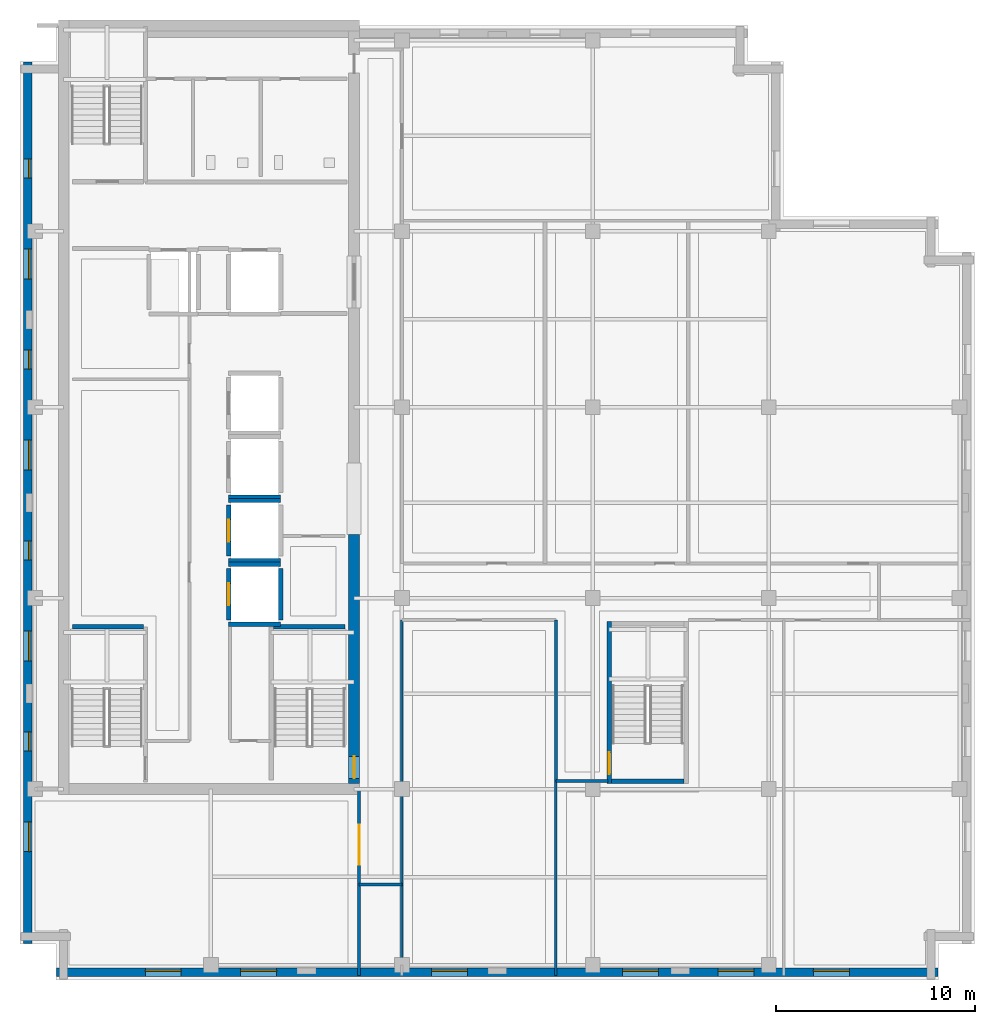
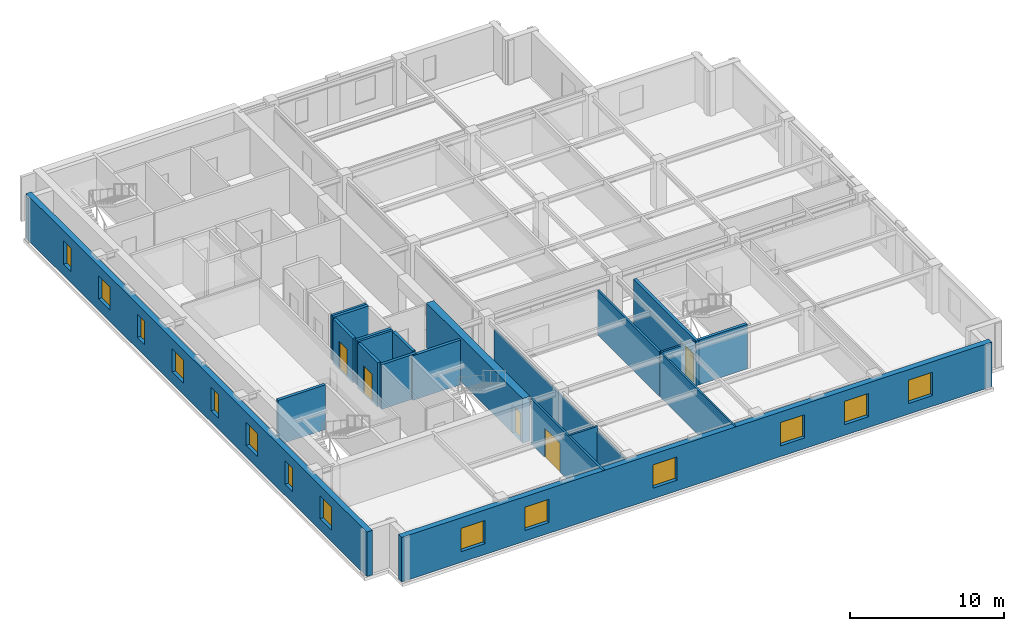
# One storey, part 3 of 10: 21 walls, 14 windows, 5 doors, 19 openings.
"""IFC4 building model written with IfcOpenShell, lengths in metres."""

from ifc_helpers import new_model, si_unit, direction, frame, frame_2d, origin, place, context, subcontext, project, spatial, rectangle, extrude, material, layer, layer_set, type_object, element, fill, save


model = new_model("IFC4")

# Units and contexts
model_context = context("Model", 3, precision=1e-05, world=origin(), true_north=direction((0.0, 1.0)))
body_context = subcontext(model_context, "Body", "Model", "MODEL_VIEW")
ifc_project = project(units=[si_unit("LENGTHUNIT", "METRE"), si_unit("AREAUNIT", "SQUARE_METRE"), si_unit("VOLUMEUNIT", "CUBIC_METRE"), si_unit("PLANEANGLEUNIT", "RADIAN"), si_unit("MASSUNIT", "GRAM", prefix="KILO")], contexts=[model_context])

# Site, building, storey
site_placement = place(None, origin())
site = spatial("IfcSite", under=ifc_project, at=site_placement, CompositionType="ELEMENT")
building_placement = place(site_placement, origin())
building = spatial("IfcBuilding", under=site, at=building_placement, Name="Norrvale University Quadrangle", CompositionType="ELEMENT")
storey_placement = place(building_placement, frame((0.0, 0.0, 269.60009765625)))
storey = spatial("IfcBuildingStorey", under=building, at=storey_placement, Name="L68", CompositionType="ELEMENT", Elevation=269.60009765625)

# Wall, openings, windows
ifc_material_1 = material(Name="Buff Norman Clay Brick Masonry", Category="masonry")
ifc_layer_1 = layer(ifc_material_1, 0.419921875, Name="Buff Norman Clay Brick Masonry")
ifc_layer_set_1 = layer_set([ifc_layer_1], Name="Buff Norman Clay Brick Masonry")
wall_type_1 = type_object("IfcWallType", Name="Wall Buff Brick 420", PredefinedType="SOLIDWALL", material=ifc_layer_set_1)
wall_1_placement = place(storey_placement, frame((1.840087890625, 0.389892578125, 0.0), z_axis=(0.0, 0.0, 1.0), x_axis=(1.0, 0.0, 0.0)))
wall_1 = element("IfcWall", 1, at=wall_1_placement, inside=storey, type_object=wall_type_1, Name="Exterior Brick Facade Wall L68-01.1", PredefinedType="SOLIDWALL", context=body_context, shape_type="SweptSolid", body=[
    extrude(rectangle(XDim=44.31982421875, YDim=0.419921875, at=frame_2d((22.159912109375, 0.0))), origin(), (0.0, 0.0, 1.0), 3.539794921875),
])
opening_1_placement = place(wall_1_placement, frame((4.4599609375, 0.0, 0.85009765625)))
opening_1 = element("IfcOpeningElement", 2, at=opening_1_placement, cuts=wall_1, Name="Opening W01", PredefinedType="OPENING", context=body_context, shape_type="SweptSolid", body=[
    extrude(rectangle(XDim=1.800048828125, YDim=1.85009765625, at=frame_2d((0.89990234375, 0.925048828125))), frame((0.0, 0.221923828125, 0.0), z_axis=(0.0, -1.0, 0.0), x_axis=(1.0, 0.0, 0.0)), (0.0, 0.0, 1.0), 0.44384765625),
])
opening_2_placement = place(wall_1_placement, frame((9.260009765625, 0.0, 0.85009765625)))
opening_2 = element("IfcOpeningElement", 3, at=opening_2_placement, cuts=wall_1, Name="Opening W01", PredefinedType="OPENING", context=body_context, shape_type="SweptSolid", body=[
    extrude(rectangle(XDim=1.800048828125, YDim=1.85009765625, at=frame_2d((0.89990234375, 0.925048828125))), frame((0.0, 0.221923828125, 0.0), z_axis=(0.0, -1.0, 0.0), x_axis=(1.0, 0.0, 0.0)), (0.0, 0.0, 1.0), 0.44384765625),
])
opening_3_placement = place(wall_1_placement, frame((18.860107421875, 0.0, 0.85009765625)))
opening_3 = element("IfcOpeningElement", 4, at=opening_3_placement, cuts=wall_1, Name="Opening W01", PredefinedType="OPENING", context=body_context, shape_type="SweptSolid", body=[
    extrude(rectangle(XDim=1.800048828125, YDim=1.85009765625, at=frame_2d((0.89990234375, 0.925048828125))), frame((0.0, 0.221923828125, 0.0), z_axis=(0.0, -1.0, 0.0), x_axis=(1.0, 0.0, 0.0)), (0.0, 0.0, 1.0), 0.44384765625),
])
opening_4_placement = place(wall_1_placement, frame((28.4599609375, 0.0, 0.85009765625)))
opening_4 = element("IfcOpeningElement", 5, at=opening_4_placement, cuts=wall_1, Name="Opening W01", PredefinedType="OPENING", context=body_context, shape_type="SweptSolid", body=[
    extrude(rectangle(XDim=1.800048828125, YDim=1.85009765625, at=frame_2d((0.89990234375, 0.925048828125))), frame((0.0, 0.221923828125, 0.0), z_axis=(0.0, -1.0, 0.0), x_axis=(1.0, 0.0, 0.0)), (0.0, 0.0, 1.0), 0.44384765625),
])
opening_5_placement = place(wall_1_placement, frame((33.260009765625, 0.0, 0.85009765625)))
opening_5 = element("IfcOpeningElement", 6, at=opening_5_placement, cuts=wall_1, Name="Opening W01", PredefinedType="OPENING", context=body_context, shape_type="SweptSolid", body=[
    extrude(rectangle(XDim=1.800048828125, YDim=1.85009765625, at=frame_2d((0.89990234375, 0.925048828125))), frame((0.0, 0.221923828125, 0.0), z_axis=(0.0, -1.0, 0.0), x_axis=(1.0, 0.0, 0.0)), (0.0, 0.0, 1.0), 0.44384765625),
])
opening_6_placement = place(wall_1_placement, frame((38.06005859375, 0.0, 0.85009765625)))
opening_6 = element("IfcOpeningElement", 7, at=opening_6_placement, cuts=wall_1, Name="Opening W01", PredefinedType="OPENING", context=body_context, shape_type="SweptSolid", body=[
    extrude(rectangle(XDim=1.800048828125, YDim=1.85009765625, at=frame_2d((0.89990234375, 0.925048828125))), frame((0.0, 0.221923828125, 0.0), z_axis=(0.0, -1.0, 0.0), x_axis=(1.0, 0.0, 0.0)), (0.0, 0.0, 1.0), 0.44384765625),
])
ifc_material_2 = material(Name="Triple Low-E Argon Glazing", Category="glass")
window_type_1 = type_object("IfcWindowType", Name="Window Academic 1800x2300", PartitioningType="DOUBLE_PANEL_VERTICAL", PredefinedType="WINDOW", material=ifc_material_2)
window_1_placement = place(opening_1_placement, origin())
window_1 = element("IfcWindow", 8, at=window_1_placement, inside=storey, type_object=window_type_1, Name="Window Academic 1800x2300 WIN-L68-E01-1-01", OverallHeight=1.85009765625, OverallWidth=1.800048828125, PartitioningType="DOUBLE_PANEL_VERTICAL", PredefinedType="WINDOW", context=body_context, shape_type="SweptSolid", body=[
    extrude(rectangle(XDim=1.800048828125, YDim=1.85009765625, at=frame_2d((0.89990234375, 0.925048828125))), frame((0.0, 0.110107421875, 0.0), z_axis=(0.0, -1.0, 0.0), x_axis=(1.0, 0.0, 0.0)), (0.0, 0.0, 1.0), 0.06005859375),
])
fill(opening_1, window_1)
window_2_placement = place(opening_2_placement, origin())
window_2 = element("IfcWindow", 9, at=window_2_placement, inside=storey, type_object=window_type_1, Name="Window Academic 1800x2300 WIN-L68-E01-1-02", OverallHeight=1.85009765625, OverallWidth=1.800048828125, PartitioningType="DOUBLE_PANEL_VERTICAL", PredefinedType="WINDOW", context=body_context, shape_type="SweptSolid", body=[
    extrude(rectangle(XDim=1.800048828125, YDim=1.85009765625, at=frame_2d((0.89990234375, 0.925048828125))), frame((0.0, 0.110107421875, 0.0), z_axis=(0.0, -1.0, 0.0), x_axis=(1.0, 0.0, 0.0)), (0.0, 0.0, 1.0), 0.06005859375),
])
fill(opening_2, window_2)
window_3_placement = place(opening_3_placement, origin())
window_3 = element("IfcWindow", 10, at=window_3_placement, inside=storey, type_object=window_type_1, Name="Window Academic 1800x2300 WIN-L68-E01-1-03", OverallHeight=1.85009765625, OverallWidth=1.800048828125, PartitioningType="DOUBLE_PANEL_VERTICAL", PredefinedType="WINDOW", context=body_context, shape_type="SweptSolid", body=[
    extrude(rectangle(XDim=1.800048828125, YDim=1.85009765625, at=frame_2d((0.89990234375, 0.925048828125))), frame((0.0, 0.110107421875, 0.0), z_axis=(0.0, -1.0, 0.0), x_axis=(1.0, 0.0, 0.0)), (0.0, 0.0, 1.0), 0.06005859375),
])
fill(opening_3, window_3)
window_4_placement = place(opening_4_placement, origin())
window_4 = element("IfcWindow", 11, at=window_4_placement, inside=storey, type_object=window_type_1, Name="Window Academic 1800x2300 WIN-L68-E01-1-04", OverallHeight=1.85009765625, OverallWidth=1.800048828125, PartitioningType="DOUBLE_PANEL_VERTICAL", PredefinedType="WINDOW", context=body_context, shape_type="SweptSolid", body=[
    extrude(rectangle(XDim=1.800048828125, YDim=1.85009765625, at=frame_2d((0.89990234375, 0.925048828125))), frame((0.0, 0.110107421875, 0.0), z_axis=(0.0, -1.0, 0.0), x_axis=(1.0, 0.0, 0.0)), (0.0, 0.0, 1.0), 0.06005859375),
])
fill(opening_4, window_4)
window_5_placement = place(opening_5_placement, origin())
window_5 = element("IfcWindow", 12, at=window_5_placement, inside=storey, type_object=window_type_1, Name="Window Academic 1800x2300 WIN-L68-E01-1-05", OverallHeight=1.85009765625, OverallWidth=1.800048828125, PartitioningType="DOUBLE_PANEL_VERTICAL", PredefinedType="WINDOW", context=body_context, shape_type="SweptSolid", body=[
    extrude(rectangle(XDim=1.800048828125, YDim=1.85009765625, at=frame_2d((0.89990234375, 0.925048828125))), frame((0.0, 0.110107421875, 0.0), z_axis=(0.0, -1.0, 0.0), x_axis=(1.0, 0.0, 0.0)), (0.0, 0.0, 1.0), 0.06005859375),
])
fill(opening_5, window_5)
window_6_placement = place(opening_6_placement, origin())
window_6 = element("IfcWindow", 13, at=window_6_placement, inside=storey, type_object=window_type_1, Name="Window Academic 1800x2300 WIN-L68-E01-1-06", OverallHeight=1.85009765625, OverallWidth=1.800048828125, PartitioningType="DOUBLE_PANEL_VERTICAL", PredefinedType="WINDOW", context=body_context, shape_type="SweptSolid", body=[
    extrude(rectangle(XDim=1.800048828125, YDim=1.85009765625, at=frame_2d((0.89990234375, 0.925048828125))), frame((0.0, 0.110107421875, 0.0), z_axis=(0.0, -1.0, 0.0), x_axis=(1.0, 0.0, 0.0)), (0.0, 0.0, 1.0), 0.06005859375),
])
fill(opening_6, window_6)

wall_2_placement = place(storey_placement, frame((0.389892578125, 46.159912109375, 0.0), z_axis=(0.0, 0.0, 1.0), x_axis=(0.0, -1.0, 0.0)))
wall_2 = element("IfcWall", 14, at=wall_2_placement, inside=storey, type_object=wall_type_1, Name="Exterior Brick Facade Wall L68-14.1", PredefinedType="SOLIDWALL", context=body_context, shape_type="SweptSolid", body=[
    extrude(rectangle(XDim=44.31982421875, YDim=0.419921875, at=frame_2d((22.159912109375, 0.0))), origin(), (0.0, 0.0, 1.0), 3.539794921875),
])
opening_7_placement = place(wall_2_placement, frame((4.885009765625, 0.0, 0.89990234375)))
opening_7 = element("IfcOpeningElement", 15, at=opening_7_placement, cuts=wall_2, Name="Opening W04", PredefinedType="OPENING", context=body_context, shape_type="SweptSolid", body=[
    extrude(rectangle(XDim=0.949951171875, YDim=1.85009765625, at=frame_2d((0.47509765625, 0.925048828125))), frame((0.0, 0.221923828125, 0.0), z_axis=(0.0, -1.0, 0.0), x_axis=(1.0, 0.0, 0.0)), (0.0, 0.0, 1.0), 0.44384765625),
])
opening_8_placement = place(wall_2_placement, frame((9.409912109375, 0.0, 0.89990234375)))
opening_8 = element("IfcOpeningElement", 16, at=opening_8_placement, cuts=wall_2, Name="Opening W03", PredefinedType="OPENING", context=body_context, shape_type="SweptSolid", body=[
    extrude(rectangle(XDim=1.5, YDim=1.85009765625, at=frame_2d((0.75, 0.925048828125))), frame((0.0, 0.221923828125, 0.0), z_axis=(0.0, -1.0, 0.0), x_axis=(1.0, 0.0, 0.0)), (0.0, 0.0, 1.0), 0.44384765625),
])
opening_9_placement = place(wall_2_placement, frame((14.485107421875, 0.0, 0.89990234375)))
opening_9 = element("IfcOpeningElement", 17, at=opening_9_placement, cuts=wall_2, Name="Opening W04", PredefinedType="OPENING", context=body_context, shape_type="SweptSolid", body=[
    extrude(rectangle(XDim=0.949951171875, YDim=1.85009765625, at=frame_2d((0.47509765625, 0.925048828125))), frame((0.0, 0.221923828125, 0.0), z_axis=(0.0, -1.0, 0.0), x_axis=(1.0, 0.0, 0.0)), (0.0, 0.0, 1.0), 0.44384765625),
])
opening_10_placement = place(wall_2_placement, frame((19.010009765625, 0.0, 0.89990234375)))
opening_10 = element("IfcOpeningElement", 18, at=opening_10_placement, cuts=wall_2, Name="Opening W03", PredefinedType="OPENING", context=body_context, shape_type="SweptSolid", body=[
    extrude(rectangle(XDim=1.5, YDim=1.85009765625, at=frame_2d((0.75, 0.925048828125))), frame((0.0, 0.221923828125, 0.0), z_axis=(0.0, -1.0, 0.0), x_axis=(1.0, 0.0, 0.0)), (0.0, 0.0, 1.0), 0.44384765625),
])
opening_11_placement = place(wall_2_placement, frame((24.0849609375, 0.0, 0.89990234375)))
opening_11 = element("IfcOpeningElement", 19, at=opening_11_placement, cuts=wall_2, Name="Opening W04", PredefinedType="OPENING", context=body_context, shape_type="SweptSolid", body=[
    extrude(rectangle(XDim=0.949951171875, YDim=1.85009765625, at=frame_2d((0.47509765625, 0.925048828125))), frame((0.0, 0.221923828125, 0.0), z_axis=(0.0, -1.0, 0.0), x_axis=(1.0, 0.0, 0.0)), (0.0, 0.0, 1.0), 0.44384765625),
])
opening_12_placement = place(wall_2_placement, frame((28.610107421875, 0.0, 0.89990234375)))
opening_12 = element("IfcOpeningElement", 20, at=opening_12_placement, cuts=wall_2, Name="Opening W03", PredefinedType="OPENING", context=body_context, shape_type="SweptSolid", body=[
    extrude(rectangle(XDim=1.5, YDim=1.85009765625, at=frame_2d((0.75, 0.925048828125))), frame((0.0, 0.221923828125, 0.0), z_axis=(0.0, -1.0, 0.0), x_axis=(1.0, 0.0, 0.0)), (0.0, 0.0, 1.0), 0.44384765625),
])
opening_13_placement = place(wall_2_placement, frame((33.68505859375, 0.0, 0.89990234375)))
opening_13 = element("IfcOpeningElement", 21, at=opening_13_placement, cuts=wall_2, Name="Opening W04", PredefinedType="OPENING", context=body_context, shape_type="SweptSolid", body=[
    extrude(rectangle(XDim=0.949951171875, YDim=1.85009765625, at=frame_2d((0.47509765625, 0.925048828125))), frame((0.0, 0.221923828125, 0.0), z_axis=(0.0, -1.0, 0.0), x_axis=(1.0, 0.0, 0.0)), (0.0, 0.0, 1.0), 0.44384765625),
])
opening_14_placement = place(wall_2_placement, frame((38.2099609375, 0.0, 0.89990234375)))
opening_14 = element("IfcOpeningElement", 22, at=opening_14_placement, cuts=wall_2, Name="Opening W03", PredefinedType="OPENING", context=body_context, shape_type="SweptSolid", body=[
    extrude(rectangle(XDim=1.5, YDim=1.85009765625, at=frame_2d((0.75, 0.925048828125))), frame((0.0, 0.221923828125, 0.0), z_axis=(0.0, -1.0, 0.0), x_axis=(1.0, 0.0, 0.0)), (0.0, 0.0, 1.0), 0.44384765625),
])
window_type_2 = type_object("IfcWindowType", Name="Window Narrow Pier 950x2300", PartitioningType="SINGLE_PANEL", PredefinedType="WINDOW", material=ifc_material_2)
window_7_placement = place(opening_7_placement, origin())
window_7 = element("IfcWindow", 23, at=window_7_placement, inside=storey, type_object=window_type_2, Name="Window Narrow Pier 950x2300 WIN-L68-E14-1-01", OverallHeight=1.85009765625, OverallWidth=0.949951171875, PartitioningType="SINGLE_PANEL", PredefinedType="WINDOW", context=body_context, shape_type="SweptSolid", body=[
    extrude(rectangle(XDim=0.949951171875, YDim=1.85009765625, at=frame_2d((0.47509765625, 0.925048828125))), frame((0.0, 0.110107421875, 0.0), z_axis=(0.0, -1.0, 0.0), x_axis=(1.0, 0.0, 0.0)), (0.0, 0.0, 1.0), 0.06005859375),
])
fill(opening_7, window_7)
window_8_placement = place(opening_9_placement, origin())
window_8 = element("IfcWindow", 24, at=window_8_placement, inside=storey, type_object=window_type_2, Name="Window Narrow Pier 950x2300 WIN-L68-E14-1-03", OverallHeight=1.85009765625, OverallWidth=0.949951171875, PartitioningType="SINGLE_PANEL", PredefinedType="WINDOW", context=body_context, shape_type="SweptSolid", body=[
    extrude(rectangle(XDim=0.949951171875, YDim=1.85009765625, at=frame_2d((0.47509765625, 0.925048828125))), frame((0.0, 0.110107421875, 0.0), z_axis=(0.0, -1.0, 0.0), x_axis=(1.0, 0.0, 0.0)), (0.0, 0.0, 1.0), 0.06005859375),
])
fill(opening_9, window_8)
window_9_placement = place(opening_11_placement, origin())
window_9 = element("IfcWindow", 25, at=window_9_placement, inside=storey, type_object=window_type_2, Name="Window Narrow Pier 950x2300 WIN-L68-E14-1-05", OverallHeight=1.85009765625, OverallWidth=0.949951171875, PartitioningType="SINGLE_PANEL", PredefinedType="WINDOW", context=body_context, shape_type="SweptSolid", body=[
    extrude(rectangle(XDim=0.949951171875, YDim=1.85009765625, at=frame_2d((0.47509765625, 0.925048828125))), frame((0.0, 0.110107421875, 0.0), z_axis=(0.0, -1.0, 0.0), x_axis=(1.0, 0.0, 0.0)), (0.0, 0.0, 1.0), 0.06005859375),
])
fill(opening_11, window_9)
window_10_placement = place(opening_13_placement, origin())
window_10 = element("IfcWindow", 26, at=window_10_placement, inside=storey, type_object=window_type_2, Name="Window Narrow Pier 950x2300 WIN-L68-E14-1-07", OverallHeight=1.85009765625, OverallWidth=0.949951171875, PartitioningType="SINGLE_PANEL", PredefinedType="WINDOW", context=body_context, shape_type="SweptSolid", body=[
    extrude(rectangle(XDim=0.949951171875, YDim=1.85009765625, at=frame_2d((0.47509765625, 0.925048828125))), frame((0.0, 0.110107421875, 0.0), z_axis=(0.0, -1.0, 0.0), x_axis=(1.0, 0.0, 0.0)), (0.0, 0.0, 1.0), 0.06005859375),
])
fill(opening_13, window_10)
window_type_3 = type_object("IfcWindowType", Name="Window Studio 1500x2300", PartitioningType="DOUBLE_PANEL_VERTICAL", PredefinedType="WINDOW", material=ifc_material_2)
window_11_placement = place(opening_8_placement, origin())
window_11 = element("IfcWindow", 27, at=window_11_placement, inside=storey, type_object=window_type_3, Name="Window Studio 1500x2300 WIN-L68-E14-1-02", OverallHeight=1.85009765625, OverallWidth=1.5, PartitioningType="DOUBLE_PANEL_VERTICAL", PredefinedType="WINDOW", context=body_context, shape_type="SweptSolid", body=[
    extrude(rectangle(XDim=1.5, YDim=1.85009765625, at=frame_2d((0.75, 0.925048828125))), frame((0.0, 0.110107421875, 0.0), z_axis=(0.0, -1.0, 0.0), x_axis=(1.0, 0.0, 0.0)), (0.0, 0.0, 1.0), 0.06005859375),
])
fill(opening_8, window_11)
window_12_placement = place(opening_10_placement, origin())
window_12 = element("IfcWindow", 28, at=window_12_placement, inside=storey, type_object=window_type_3, Name="Window Studio 1500x2300 WIN-L68-E14-1-04", OverallHeight=1.85009765625, OverallWidth=1.5, PartitioningType="DOUBLE_PANEL_VERTICAL", PredefinedType="WINDOW", context=body_context, shape_type="SweptSolid", body=[
    extrude(rectangle(XDim=1.5, YDim=1.85009765625, at=frame_2d((0.75, 0.925048828125))), frame((0.0, 0.110107421875, 0.0), z_axis=(0.0, -1.0, 0.0), x_axis=(1.0, 0.0, 0.0)), (0.0, 0.0, 1.0), 0.06005859375),
])
fill(opening_10, window_12)
window_13_placement = place(opening_12_placement, origin())
window_13 = element("IfcWindow", 29, at=window_13_placement, inside=storey, type_object=window_type_3, Name="Window Studio 1500x2300 WIN-L68-E14-1-06", OverallHeight=1.85009765625, OverallWidth=1.5, PartitioningType="DOUBLE_PANEL_VERTICAL", PredefinedType="WINDOW", context=body_context, shape_type="SweptSolid", body=[
    extrude(rectangle(XDim=1.5, YDim=1.85009765625, at=frame_2d((0.75, 0.925048828125))), frame((0.0, 0.110107421875, 0.0), z_axis=(0.0, -1.0, 0.0), x_axis=(1.0, 0.0, 0.0)), (0.0, 0.0, 1.0), 0.06005859375),
])
fill(opening_12, window_13)
window_14_placement = place(opening_14_placement, origin())
window_14 = element("IfcWindow", 30, at=window_14_placement, inside=storey, type_object=window_type_3, Name="Window Studio 1500x2300 WIN-L68-E14-1-08", OverallHeight=1.85009765625, OverallWidth=1.5, PartitioningType="DOUBLE_PANEL_VERTICAL", PredefinedType="WINDOW", context=body_context, shape_type="SweptSolid", body=[
    extrude(rectangle(XDim=1.5, YDim=1.85009765625, at=frame_2d((0.75, 0.925048828125))), frame((0.0, 0.110107421875, 0.0), z_axis=(0.0, -1.0, 0.0), x_axis=(1.0, 0.0, 0.0)), (0.0, 0.0, 1.0), 0.06005859375),
])
fill(opening_14, window_14)

# Wall, opening, door
ifc_material_3 = material(Name="Concrete C60/75", Category="concrete")
ifc_layer_2 = layer(ifc_material_3, 0.550048828125, Name="Concrete C60/75")
ifc_layer_set_2 = layer_set([ifc_layer_2], Name="Concrete C60/75")
wall_type_2 = type_object("IfcWallType", Name="Wall Core 550", PredefinedType="SHEAR", material=ifc_layer_set_2)
wall_3_placement = place(storey_placement, frame((16.800048828125, 9.875, 0.0), z_axis=(0.0, 0.0, 1.0), x_axis=(0.0, 1.0, 0.0)))
wall_3 = element("IfcWall", 31, at=wall_3_placement, inside=storey, type_object=wall_type_2, Name="Tower Core Shear Wall L68-E1", PredefinedType="SHEAR", context=body_context, shape_type="SweptSolid", body=[
    extrude(rectangle(XDim=12.52490234375, YDim=0.550048828125, at=frame_2d((6.262451171875, 0.0))), origin(), (0.0, 0.0, 1.0), 3.539794921875),
])
opening_15_placement = place(wall_3_placement, frame((0.264892578125, 0.0, 0.0)))
opening_15 = element("IfcOpeningElement", 32, at=opening_15_placement, cuts=wall_3, Name="Opening D02", PredefinedType="OPENING", context=body_context, shape_type="SweptSolid", body=[
    extrude(rectangle(XDim=1.10009765625, YDim=2.199951171875, at=frame_2d((0.550048828125, 1.10009765625))), frame((0.0, 0.287109375, 0.0), z_axis=(0.0, -1.0, 0.0), x_axis=(1.0, 0.0, 0.0)), (0.0, 0.0, 1.0), 0.573974609375),
])
ifc_material_4 = material(Name="Hollow Steel 350W Fire Door", Category="steel")
door_type_1 = type_object("IfcDoorType", Name="Door Stair Exit 1100x2200", OperationType="NOTDEFINED", PredefinedType="DOOR", material=ifc_material_4)
door_1_placement = place(opening_15_placement, origin())
door_1 = element("IfcDoor", 33, at=door_1_placement, inside=storey, type_object=door_type_1, Name="Door Stair Exit 1100x2200 DR-L68-ST03", OperationType="SINGLE_SWING_LEFT", OverallHeight=2.199951171875, OverallWidth=1.10009765625, PredefinedType="DOOR", context=body_context, shape_type="SweptSolid", body=[
    extrude(rectangle(XDim=1.10009765625, YDim=2.199951171875, at=frame_2d((0.550048828125, 1.10009765625))), frame((0.0, 0.02490234375, 0.0), z_axis=(0.0, -1.0, 0.0), x_axis=(1.0, 0.0, 0.0)), (0.0, 0.0, 1.0), 0.050048828125),
])
fill(opening_15, door_1)

# Walls
ifc_material_5 = material(Name="Standard Academic Gypsum Partition")
ifc_layer_3 = layer(ifc_material_5, 0.125, Name="Standard Academic Gypsum Partition")
ifc_layer_set_3 = layer_set([ifc_layer_3], Name="Standard Academic Gypsum Partition")
wall_type_3 = type_object("IfcWallType", Name="Wall Gypsum Academic 125", PredefinedType="PARTITIONING", material=ifc_layer_set_3)
wall_4_placement = place(storey_placement, frame((19.199951171875, 0.75, 0.0), z_axis=(0.0, 0.0, 1.0), x_axis=(0.0, 1.0, 0.0)))
element("IfcWall", 34, at=wall_4_placement, inside=storey, type_object=wall_type_3, Name="Interior Partition WL-L68-SE-W0-B2", PredefinedType="PARTITIONING", context=body_context, shape_type="SweptSolid", body=[
    extrude(rectangle(XDim=17.35009765625, YDim=0.125, at=frame_2d((8.675048828125, 0.0))), origin(), (0.0, 0.0, 1.0), 3.122802734375),
])
wall_5_placement = place(storey_placement, frame((26.949951171875, 0.219970703125, 0.0), z_axis=(0.0, 0.0, 1.0), x_axis=(0.0, 1.0, 0.0)))
element("IfcWall", 35, at=wall_5_placement, inside=storey, type_object=wall_type_3, Name="Interior Partition WL-L68-SEP1A", PredefinedType="PARTITIONING", context=body_context, shape_type="SweptSolid", body=[
    extrude(rectangle(XDim=9.780029296875, YDim=0.125, at=frame_2d((4.89013671875, 0.0))), origin(), (0.0, 0.0, 1.0), 3.539794921875),
])
ifc_material_6 = material(Name="Fire-Rated Gypsum Stud Partition")
ifc_layer_4 = layer(ifc_material_6, 0.14990234375, Name="Fire-Rated Gypsum Stud Partition")
ifc_layer_set_4 = layer_set([ifc_layer_4], Name="Fire-Rated Gypsum Stud Partition")
wall_type_4 = type_object("IfcWallType", Name="Wall Gypsum Corridor 150", PredefinedType="PARTITIONING", material=ifc_layer_set_4)
wall_6_placement = place(storey_placement, frame((17.050048828125, 4.800048828125, 0.0), z_axis=(0.0, 0.0, 1.0), x_axis=(1.0, 0.0, 0.0)))
element("IfcWall", 36, at=wall_6_placement, inside=storey, type_object=wall_type_4, Name="Interior Partition WL-L68-CSP-S", PredefinedType="PARTITIONING", context=body_context, shape_type="SweptSolid", body=[
    extrude(rectangle(XDim=2.14990234375, YDim=0.14990234375, at=frame_2d((1.074951171875, 0.0))), origin(), (0.0, 0.0, 1.0), 3.539794921875),
])

# Wall, opening, door
wall_7_placement = place(storey_placement, frame((17.050048828125, 0.219970703125, 0.0), z_axis=(0.0, 0.0, 1.0), x_axis=(0.0, 1.0, 0.0)))
wall_7 = element("IfcWall", 37, at=wall_7_placement, inside=storey, type_object=wall_type_4, Name="Interior Partition WL-L68-SW-E", PredefinedType="PARTITIONING", context=body_context, shape_type="SweptSolid", body=[
    extrude(rectangle(XDim=9.380126953125, YDim=0.14990234375, at=frame_2d((4.68994140625, 0.0))), origin(), (0.0, 0.0, 1.0), 3.539794921875),
])
opening_16_placement = place(wall_7_placement, frame((5.580078125, 0.0, 0.0)))
opening_16 = element("IfcOpeningElement", 38, at=opening_16_placement, cuts=wall_7, Name="Opening D06", PredefinedType="OPENING", context=body_context, shape_type="SweptSolid", body=[
    extrude(rectangle(XDim=2.0, YDim=2.300048828125, at=frame_2d((1.0, 1.14990234375))), frame((0.0, 0.0869140625, 0.0), z_axis=(0.0, -1.0, 0.0), x_axis=(1.0, 0.0, 0.0)), (0.0, 0.0, 1.0), 0.173828125),
])
ifc_material_7 = material(Name="Acoustic Oak Double Door", Category="wood")
door_type_2 = type_object("IfcDoorType", Name="Door Lecture Dbl 2000x2300", OperationType="DOUBLE_SWING_LEFT", PredefinedType="DOOR", material=ifc_material_7)
door_2_placement = place(opening_16_placement, origin())
door_2 = element("IfcDoor", 39, at=door_2_placement, inside=storey, type_object=door_type_2, Name="Door Lecture Dbl 2000x2300 DR-L68-SW1", OperationType="DOUBLE_SWING_LEFT", OverallHeight=2.300048828125, OverallWidth=2.0, PredefinedType="DOOR", context=body_context, shape_type="SweptSolid", body=[
    extrude(rectangle(XDim=2.0, YDim=2.300048828125, at=frame_2d((1.0, 1.14990234375))), frame((0.0, 0.02490234375, 0.0), z_axis=(0.0, -1.0, 0.0), x_axis=(1.0, 0.0, 0.0)), (0.0, 0.0, 1.0), 0.050048828125),
])
fill(opening_16, door_2)

# Walls
wall_8_placement = place(storey_placement, frame((26.949951171875, 10.0, 0.0), z_axis=(0.0, 0.0, 1.0), x_axis=(0.0, 1.0, 0.0)))
element("IfcWall", 40, at=wall_8_placement, inside=storey, type_object=wall_type_4, Name="Interior Partition WL-L68-SEP1B", PredefinedType="PARTITIONING", context=body_context, shape_type="SweptSolid", body=[
    extrude(rectangle(XDim=8.10009765625, YDim=0.14990234375, at=frame_2d((4.050048828125, 0.0))), origin(), (0.0, 0.0, 1.0), 3.539794921875),
])
wall_9_placement = place(storey_placement, frame((26.949951171875, 10.0, 0.0), z_axis=(0.0, 0.0, 1.0), x_axis=(1.0, 0.0, 0.0)))
element("IfcWall", 41, at=wall_9_placement, inside=storey, type_object=wall_type_4, Name="Interior Partition WL-L68-SEP1C", PredefinedType="PARTITIONING", context=body_context, shape_type="SweptSolid", body=[
    extrude(rectangle(XDim=2.630126953125, YDim=0.14990234375, at=frame_2d((1.31494140625, 0.0))), origin(), (0.0, 0.0, 1.0), 3.539794921875),
])
ifc_material_8 = material(Name="Concrete Blockwork 20 MPa Fire Shaft", Category="masonry")
ifc_layer_5 = layer(ifc_material_8, 0.219970703125, Name="Concrete Blockwork 20 MPa Fire Shaft")
ifc_layer_set_5 = layer_set([ifc_layer_5], Name="Concrete Blockwork 20 MPa Fire Shaft")
wall_type_5 = type_object("IfcWallType", Name="Wall Shaft 220", PredefinedType="SOLIDWALL", material=ifc_layer_set_5)
wall_10_placement = place(storey_placement, frame((2.64990234375, 17.760009765625, 0.0), z_axis=(0.0, 0.0, 1.0), x_axis=(1.0, 0.0, 0.0)))
element("IfcWall", 42, at=wall_10_placement, inside=storey, type_object=wall_type_5, Name="Stair ST-01 North Shaft Wall L68", PredefinedType="SOLIDWALL", context=body_context, shape_type="SweptSolid", body=[
    extrude(rectangle(XDim=3.550048828125, YDim=0.219970703125, at=frame_2d((1.77490234375, 0.0))), origin(), (0.0, 0.0, 1.0), 3.539794921875),
])
wall_11_placement = place(storey_placement, frame((12.75, 17.760009765625, 0.0), z_axis=(0.0, 0.0, 1.0), x_axis=(1.0, 0.0, 0.0)))
element("IfcWall", 43, at=wall_11_placement, inside=storey, type_object=wall_type_5, Name="Stair ST-03 North Shaft Wall L68", PredefinedType="SOLIDWALL", context=body_context, shape_type="SweptSolid", body=[
    extrude(rectangle(XDim=3.60009765625, YDim=0.219970703125, at=frame_2d((1.800048828125, 0.0))), origin(), (0.0, 0.0, 1.0), 3.539794921875),
])
wall_12_placement = place(storey_placement, frame((29.75, 9.989990234375, 0.0), z_axis=(0.0, 0.0, 1.0), x_axis=(1.0, 0.0, 0.0)))
element("IfcWall", 44, at=wall_12_placement, inside=storey, type_object=wall_type_5, Name="Stair ST-04 South Shaft Wall L68", PredefinedType="SOLIDWALL", context=body_context, shape_type="SweptSolid", body=[
    extrude(rectangle(XDim=3.64990234375, YDim=0.219970703125, at=frame_2d((1.824951171875, 0.0))), origin(), (0.0, 0.0, 1.0), 3.539794921875),
])

# Wall, opening, door
wall_13_placement = place(storey_placement, frame((29.639892578125, 9.8798828125, 0.0), z_axis=(0.0, 0.0, 1.0), x_axis=(0.0, 1.0, 0.0)))
wall_13 = element("IfcWall", 45, at=wall_13_placement, inside=storey, type_object=wall_type_5, Name="Stair ST-04 West Shaft Wall L68", PredefinedType="SOLIDWALL", context=body_context, shape_type="SweptSolid", body=[
    extrude(rectangle(XDim=8.14013671875, YDim=0.219970703125, at=frame_2d((4.070068359375, 0.0))), origin(), (0.0, 0.0, 1.0), 3.539794921875),
])
opening_17_placement = place(wall_13_placement, frame((0.469970703125, 0.0, 0.0)))
opening_17 = element("IfcOpeningElement", 46, at=opening_17_placement, cuts=wall_13, Name="Opening D02", PredefinedType="OPENING", context=body_context, shape_type="SweptSolid", body=[
    extrude(rectangle(XDim=1.10009765625, YDim=2.199951171875, at=frame_2d((0.550048828125, 1.10009765625))), frame((0.0, 0.1220703125, 0.0), z_axis=(0.0, -1.0, 0.0), x_axis=(1.0, 0.0, 0.0)), (0.0, 0.0, 1.0), 0.243896484375),
])
door_3_placement = place(opening_17_placement, frame((1.10009765625, 0.0, 0.0), z_axis=(0.0, 0.0, 1.0), x_axis=(-1.0, 0.0, 0.0)))
door_3 = element("IfcDoor", 47, at=door_3_placement, inside=storey, type_object=door_type_1, Name="Door Stair Exit 1100x2200 DR-L68-ST04", OperationType="SINGLE_SWING_RIGHT", OverallHeight=2.199951171875, OverallWidth=1.10009765625, PredefinedType="DOOR", context=body_context, shape_type="SweptSolid", body=[
    extrude(rectangle(XDim=1.10009765625, YDim=2.199951171875, at=frame_2d((0.550048828125, 1.10009765625))), frame((0.0, 0.02490234375, 0.0), z_axis=(0.0, -1.0, 0.0), x_axis=(1.0, 0.0, 0.0)), (0.0, 0.0, 1.0), 0.050048828125),
])
fill(opening_17, door_3)

wall_14_placement = place(storey_placement, frame((10.489990234375, 18.110107421875, 0.0), z_axis=(0.0, 0.0, 1.0), x_axis=(0.0, 1.0, 0.0)))
wall_14 = element("IfcWall", 48, at=wall_14_placement, inside=storey, type_object=wall_type_5, Name="Hoistway PL-05 West Wall L68", PredefinedType="SOLIDWALL", context=body_context, shape_type="SweptSolid", body=[
    extrude(rectangle(XDim=2.579833984375, YDim=0.219970703125, at=frame_2d((1.2900390625, 0.0))), origin(), (0.0, 0.0, 1.0), 3.539794921875),
])
opening_18_placement = place(wall_14_placement, frame((0.739990234375, 0.0, 0.0)))
opening_18 = element("IfcOpeningElement", 49, at=opening_18_placement, cuts=wall_14, Name="Opening LD1", PredefinedType="OPENING", context=body_context, shape_type="SweptSolid", body=[
    extrude(rectangle(XDim=1.10009765625, YDim=2.199951171875, at=frame_2d((0.550048828125, 1.10009765625))), frame((0.0, 0.1220703125, 0.0), z_axis=(0.0, -1.0, 0.0), x_axis=(1.0, 0.0, 0.0)), (0.0, 0.0, 1.0), 0.243896484375),
])
ifc_material_9 = material(Name="Stainless Steel 316L Lift Landing Door", Category="steel")
door_type_3 = type_object("IfcDoorType", Name="Door Lift Landing 1100x2200", OperationType="DOUBLE_DOOR_SLIDING", PredefinedType="DOOR", material=ifc_material_9)
door_4_placement = place(opening_18_placement, origin())
door_4 = element("IfcDoor", 50, at=door_4_placement, inside=storey, type_object=door_type_3, Name="Elevator Landing Door DR-L68-PL-05", OperationType="DOUBLE_DOOR_SLIDING", OverallHeight=2.199951171875, OverallWidth=1.10009765625, PredefinedType="DOOR", context=body_context, shape_type="SweptSolid", body=[
    extrude(rectangle(XDim=1.10009765625, YDim=2.199951171875, at=frame_2d((0.550048828125, 1.10009765625))), frame((0.0, 0.02490234375, 0.0), z_axis=(0.0, -1.0, 0.0), x_axis=(1.0, 0.0, 0.0)), (0.0, 0.0, 1.0), 0.050048828125),
])
fill(opening_18, door_4)

# Walls
wall_15_placement = place(storey_placement, frame((13.110107421875, 18.110107421875, 0.0), z_axis=(0.0, 0.0, 1.0), x_axis=(0.0, 1.0, 0.0)))
element("IfcWall", 51, at=wall_15_placement, inside=storey, type_object=wall_type_5, Name="Hoistway PL-05 East Wall L68", PredefinedType="SOLIDWALL", context=body_context, shape_type="SweptSolid", body=[
    extrude(rectangle(XDim=2.579833984375, YDim=0.219970703125, at=frame_2d((1.2900390625, 0.0))), origin(), (0.0, 0.0, 1.0), 3.539794921875),
])
for number, where, z_axis, x_axis, name in (
    (52, (10.489990234375, 17.889892578125, 0.0), (0.0, 0.0, 1.0), (1.0, 0.0, 0.0), "Hoistway PL-05 South Wall L68"),
    (53, (10.489990234375, 20.909912109375, 0.0), (0.0, 0.0, 1.0), (1.0, 0.0, 0.0), "Hoistway PL-05 North Wall L68"),
):
    element("IfcWall", number, at=place(storey_placement, frame(where, z_axis=z_axis, x_axis=x_axis)), inside=storey, type_object=wall_type_5, Name=name, PredefinedType="SOLIDWALL", context=body_context, shape_type="SweptSolid", body=[
        extrude(rectangle(XDim=2.6201171875, YDim=0.219970703125, at=frame_2d((1.31005859375, 0.0))), origin(), (0.0, 0.0, 1.0), 3.539794921875),
    ])

# Wall, opening, door
wall_16_placement = place(storey_placement, frame((10.489990234375, 21.31005859375, 0.0), z_axis=(0.0, 0.0, 1.0), x_axis=(0.0, 1.0, 0.0)))
wall_16 = element("IfcWall", 54, at=wall_16_placement, inside=storey, type_object=wall_type_5, Name="Hoistway PL-06 West Wall L68", PredefinedType="SOLIDWALL", context=body_context, shape_type="SweptSolid", body=[
    extrude(rectangle(XDim=2.579833984375, YDim=0.219970703125, at=frame_2d((1.2900390625, 0.0))), origin(), (0.0, 0.0, 1.0), 3.539794921875),
])
opening_19_placement = place(wall_16_placement, frame((0.739990234375, 0.0, 0.0)))
opening_19 = element("IfcOpeningElement", 55, at=opening_19_placement, cuts=wall_16, Name="Opening LD1", PredefinedType="OPENING", context=body_context, shape_type="SweptSolid", body=[
    extrude(rectangle(XDim=1.10009765625, YDim=2.199951171875, at=frame_2d((0.550048828125, 1.10009765625))), frame((0.0, 0.1220703125, 0.0), z_axis=(0.0, -1.0, 0.0), x_axis=(1.0, 0.0, 0.0)), (0.0, 0.0, 1.0), 0.243896484375),
])
door_5_placement = place(opening_19_placement, origin())
door_5 = element("IfcDoor", 56, at=door_5_placement, inside=storey, type_object=door_type_3, Name="Elevator Landing Door DR-L68-PL-06", OperationType="DOUBLE_DOOR_SLIDING", OverallHeight=2.199951171875, OverallWidth=1.10009765625, PredefinedType="DOOR", context=body_context, shape_type="SweptSolid", body=[
    extrude(rectangle(XDim=1.10009765625, YDim=2.199951171875, at=frame_2d((0.550048828125, 1.10009765625))), frame((0.0, 0.02490234375, 0.0), z_axis=(0.0, -1.0, 0.0), x_axis=(1.0, 0.0, 0.0)), (0.0, 0.0, 1.0), 0.050048828125),
])
fill(opening_19, door_5)

# Walls
for number, where, z_axis, x_axis, name in (
    (57, (10.489990234375, 21.090087890625, 0.0), (0.0, 0.0, 1.0), (1.0, 0.0, 0.0), "Hoistway PL-06 South Wall L68"),
    (58, (10.489990234375, 24.110107421875, 0.0), (0.0, 0.0, 1.0), (1.0, 0.0, 0.0), "Hoistway PL-06 North Wall L68"),
    (59, (10.489990234375, 24.2900390625, 0.0), (0.0, 0.0, 1.0), (1.0, 0.0, 0.0), "Hoistway PL-07 South Wall L68"),
):
    element("IfcWall", number, at=place(storey_placement, frame(where, z_axis=z_axis, x_axis=x_axis)), inside=storey, type_object=wall_type_5, Name=name, PredefinedType="SOLIDWALL", context=body_context, shape_type="SweptSolid", body=[
        extrude(rectangle(XDim=2.6201171875, YDim=0.219970703125, at=frame_2d((1.31005859375, 0.0))), origin(), (0.0, 0.0, 1.0), 3.539794921875),
    ])

save(model, "model.ifc")
